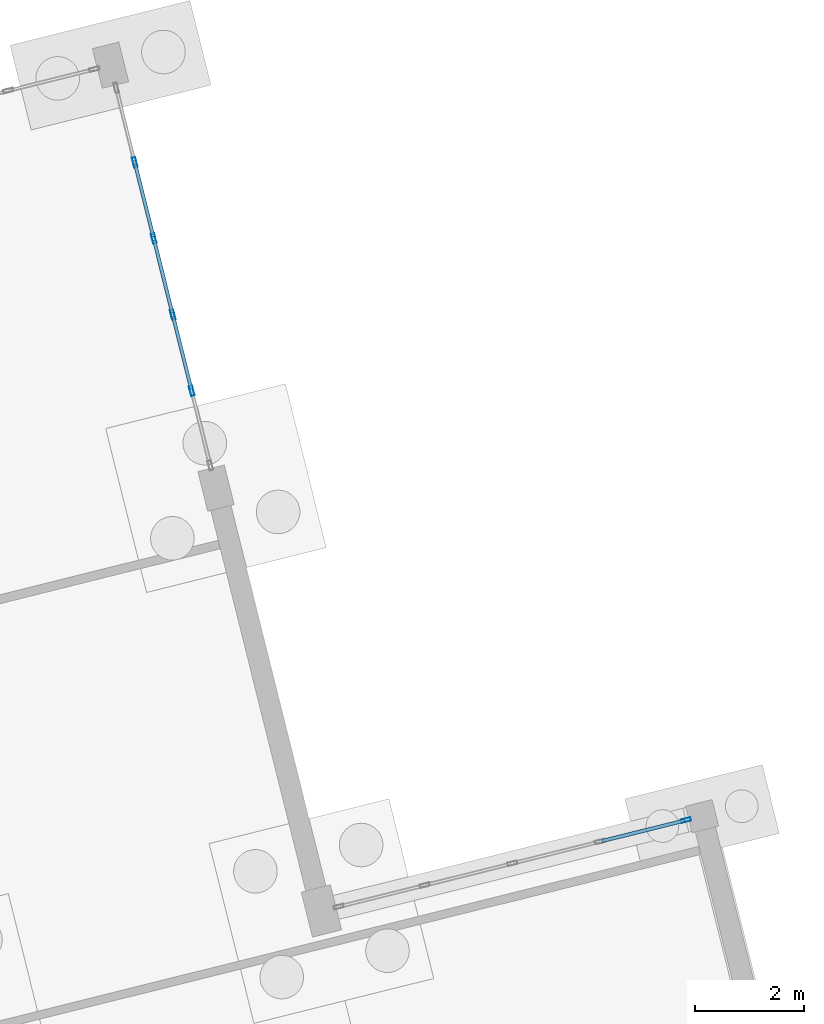
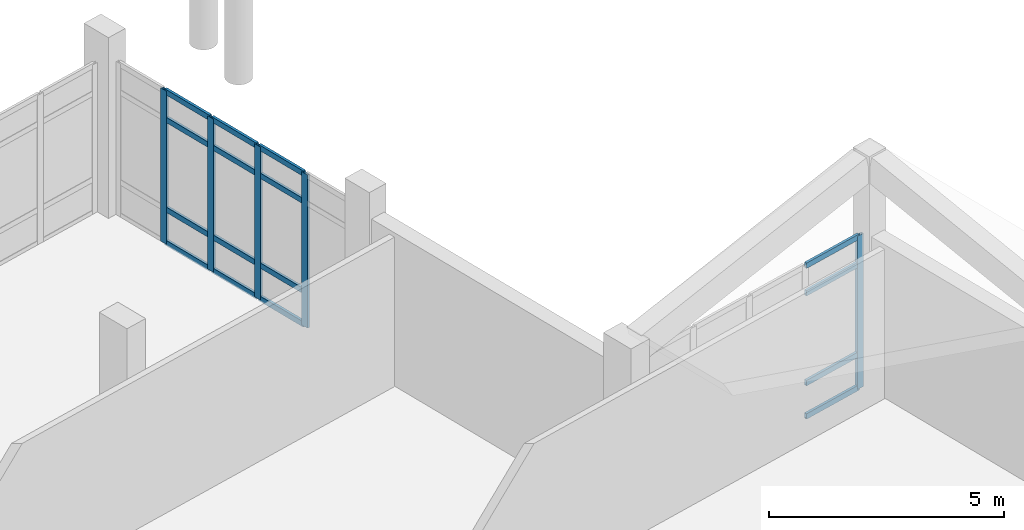
# One storey, part 101 of 173: 21 members, 2 elements without a shape of their own.
"""IFC4 building model written with IfcOpenShell, lengths in metres."""

from ifc_helpers import new_model, si_unit, direction, frame, origin, origin_2d, place, context, subcontext, project, spatial, hollow_rectangle, extrude, material, layer, layer_set, material_profile, profile_set, type_object, element, aggregate, save


model = new_model("IFC4")

# Units and contexts
model_context = context("Model", 3, precision=1e-05, world=origin(), true_north=direction((0.0, 1.0)))
body_context = subcontext(model_context, "Body", "Model", "MODEL_VIEW")
ifc_project = project(units=[si_unit("LENGTHUNIT", "METRE"), si_unit("AREAUNIT", "SQUARE_METRE"), si_unit("VOLUMEUNIT", "CUBIC_METRE"), si_unit("PLANEANGLEUNIT", "RADIAN"), si_unit("MASSUNIT", "GRAM", prefix="KILO")], contexts=[model_context])

# Site, building, storey
site_placement = place(None, origin())
site = spatial("IfcSite", under=ifc_project, at=site_placement, CompositionType="ELEMENT")
building_placement = place(site_placement, origin())
building = spatial("IfcBuilding", under=site, at=building_placement, Name="Mawjan Specialist Oncology Clinic", CompositionType="ELEMENT")
storey_placement = place(building_placement, origin())
storey = spatial("IfcBuildingStorey", under=building, at=storey_placement, Name="L00", CompositionType="ELEMENT", Elevation=0.0)

# Curtain wall, members
ifc_material_1 = material(Name="Unitised spectrally selective aluminium curtain wall", Category="aluminium")
ifc_layer_1 = layer(ifc_material_1, 0.179931640625, Name="Unitised spectrally selective aluminium curtain wall", Category="aluminium")
ifc_layer_set_1 = layer_set([ifc_layer_1], Name="Unitised spectrally selective aluminium curtain wall")
curtain_wall_type_1 = type_object("IfcCurtainWallType", Name="CW-34", PredefinedType="NOTDEFINED", material=ifc_layer_set_1)
curtain_wall_1_placement = place(storey_placement, origin())
curtain_wall_1 = element("IfcCurtainWall", 1, at=curtain_wall_1_placement, inside=storey, type_object=curtain_wall_type_1, Name="L00 Unitised Curtain Wall CW-L00-084", PredefinedType="NOTDEFINED")
ifc_material_2 = material(Name="Thermally broken aluminium 6063-T6", Category="aluminium")
ifc_material_profile_1 = material_profile(ifc_material_2, hollow_rectangle(XDim=0.06494140625, YDim=0.179931640625, WallThickness=0.00390625, at=origin_2d()), Name="ALU MULLION 180x65x4", Category="aluminium")
ifc_profile_set_1 = profile_set([ifc_material_profile_1], Name="Thermally broken aluminium 6063-T6")
member_type_1 = type_object("IfcMemberType", Name="CW-M180", PredefinedType="MULLION", material=ifc_profile_set_1)
member_1_placement = place(storey_placement, frame((144.712158203125, 44.796630859375, 0.0), z_axis=(0.0, 0.0, 1.0), x_axis=(0.970295720441, 0.241921919004, 0.0)))
member_1 = element("IfcMember", 2, at=member_1_placement, type_object=member_type_1, Name="CW-34 mullion 2", PredefinedType="MULLION", context=body_context, shape_type="SweptSolid", body=[
    extrude(hollow_rectangle(XDim=0.06494140625, YDim=0.179931640625, WallThickness=0.00390625, at=origin_2d()), origin(), (0.0, 0.0, 1.0), 3.985107421875),
])
member_2_placement = place(storey_placement, frame((145.060791015625, 43.3974609375, 0.0), z_axis=(0.0, 0.0, 1.0), x_axis=(0.970295720441, 0.241921919004, 0.0)))
member_2 = element("IfcMember", 3, at=member_2_placement, type_object=member_type_1, Name="CW-34 mullion 3", PredefinedType="MULLION", context=body_context, shape_type="SweptSolid", body=[
    extrude(hollow_rectangle(XDim=0.06494140625, YDim=0.179931640625, WallThickness=0.00390625, at=origin_2d()), origin(), (0.0, 0.0, 1.0), 3.985107421875),
])
member_3_placement = place(storey_placement, frame((145.40966796875, 41.99853515625, 0.0), z_axis=(0.0, 0.0, 1.0), x_axis=(0.970295720441, 0.241921919004, 0.0)))
member_3 = element("IfcMember", 4, at=member_3_placement, type_object=member_type_1, Name="CW-34 mullion 4", PredefinedType="MULLION", context=body_context, shape_type="SweptSolid", body=[
    extrude(hollow_rectangle(XDim=0.06494140625, YDim=0.179931640625, WallThickness=0.00390625, at=origin_2d()), origin(), (0.0, 0.0, 1.0), 3.985107421875),
])
member_4_placement = place(storey_placement, frame((145.758544921875, 40.599365234375, 0.0), z_axis=(0.0, 0.0, 1.0), x_axis=(0.970295720441, 0.241921919004, 0.0)))
member_4 = element("IfcMember", 5, at=member_4_placement, type_object=member_type_1, Name="CW-34 mullion 5", PredefinedType="MULLION", context=body_context, shape_type="SweptSolid", body=[
    extrude(hollow_rectangle(XDim=0.06494140625, YDim=0.179931640625, WallThickness=0.00390625, at=origin_2d()), origin(), (0.0, 0.0, 1.0), 3.985107421875),
])

# Curtain wall, member
ifc_material_3 = material(Name="Unitised spectrally selective aluminium curtain wall", Category="aluminium")
ifc_layer_2 = layer(ifc_material_3, 0.179931640625, Name="Unitised spectrally selective aluminium curtain wall", Category="aluminium")
ifc_layer_set_2 = layer_set([ifc_layer_2], Name="Unitised spectrally selective aluminium curtain wall")
curtain_wall_type_2 = type_object("IfcCurtainWallType", Name="CW-41", PredefinedType="NOTDEFINED", material=ifc_layer_set_2)
curtain_wall_2_placement = place(storey_placement, origin())
curtain_wall_2 = element("IfcCurtainWall", 6, at=curtain_wall_2_placement, inside=storey, type_object=curtain_wall_type_2, Name="L00 Unitised Curtain Wall CW-L00-085", PredefinedType="NOTDEFINED")
member_5_placement = place(storey_placement, frame((154.8310546875, 32.72314453125, 0.0), z_axis=(0.0, 0.0, 1.0), x_axis=(-0.241921932281, 0.97029571713, 0.0)))
member_5 = element("IfcMember", 7, at=member_5_placement, type_object=member_type_1, Name="CW-41 mullion 5", PredefinedType="MULLION", context=body_context, shape_type="SweptSolid", body=[
    extrude(hollow_rectangle(XDim=0.06494140625, YDim=0.179931640625, WallThickness=0.00390625, at=origin_2d()), origin(), (0.0, 0.0, 1.0), 3.985107421875),
])

# Member
ifc_material_4 = material(Name="Thermally broken aluminium 6063-T6", Category="aluminium")
ifc_material_profile_2 = material_profile(ifc_material_4, hollow_rectangle(XDim=0.06494140625, YDim=0.139892578125, WallThickness=0.00390625, at=origin_2d()), Name="ALU TRANSOM 140x65x4", Category="aluminium")
ifc_profile_set_2 = profile_set([ifc_material_profile_2], Name="Thermally broken aluminium 6063-T6")
member_type_2 = type_object("IfcMemberType", Name="CW-T140", PredefinedType="USERDEFINED", material=ifc_profile_set_2)
member_6_placement = place(storey_placement, frame((144.719970703125, 44.76513671875, 0.032470703125), z_axis=(0.241868000253, -0.970309162305, 0.0), x_axis=(0.970309162305, 0.241868000253, 0.0)))
member_6 = element("IfcMember", 8, at=member_6_placement, type_object=member_type_2, Name="CW-34 transom 2.1", ObjectType="TRANSOM", PredefinedType="USERDEFINED", context=body_context, shape_type="SweptSolid", body=[
    extrude(hollow_rectangle(XDim=0.06494140625, YDim=0.139892578125, WallThickness=0.00390625, at=origin_2d()), origin(), (0.0, 0.0, 1.0), 1.376708984375),
])

member_7_placement = place(storey_placement, frame((144.719970703125, 44.76513671875, 0.89990234375), z_axis=(0.241868000253, -0.970309162305, 0.0), x_axis=(0.970309162305, 0.241868000253, 0.0)))
member_7 = element("IfcMember", 9, at=member_7_placement, type_object=member_type_2, Name="CW-34 transom 2.2", ObjectType="TRANSOM", PredefinedType="USERDEFINED", context=body_context, shape_type="SweptSolid", body=[
    extrude(hollow_rectangle(XDim=0.06494140625, YDim=0.139892578125, WallThickness=0.00390625, at=origin_2d()), origin(), (0.0, 0.0, 1.0), 1.376708984375),
])

member_8_placement = place(storey_placement, frame((144.719970703125, 44.76513671875, 3.235107421875), z_axis=(0.241868000253, -0.970309162305, 0.0), x_axis=(0.970309162305, 0.241868000253, 0.0)))
member_8 = element("IfcMember", 10, at=member_8_placement, type_object=member_type_2, Name="CW-34 transom 2.3", ObjectType="TRANSOM", PredefinedType="USERDEFINED", context=body_context, shape_type="SweptSolid", body=[
    extrude(hollow_rectangle(XDim=0.06494140625, YDim=0.139892578125, WallThickness=0.00390625, at=origin_2d()), origin(), (0.0, 0.0, 1.0), 1.376708984375),
])

member_9_placement = place(storey_placement, frame((144.719970703125, 44.76513671875, 3.952392578125), z_axis=(0.241868000253, -0.970309162305, 0.0), x_axis=(0.970309162305, 0.241868000253, 0.0)))
member_9 = element("IfcMember", 11, at=member_9_placement, type_object=member_type_2, Name="CW-34 transom 2.4", ObjectType="TRANSOM", PredefinedType="USERDEFINED", context=body_context, shape_type="SweptSolid", body=[
    extrude(hollow_rectangle(XDim=0.06494140625, YDim=0.139892578125, WallThickness=0.00390625, at=origin_2d()), origin(), (0.0, 0.0, 1.0), 1.376708984375),
])

member_10_placement = place(storey_placement, frame((145.06884765625, 43.365966796875, 0.032470703125), z_axis=(0.241868000253, -0.970309162305, 0.0), x_axis=(0.970309162305, 0.241868000253, 0.0)))
member_10 = element("IfcMember", 12, at=member_10_placement, type_object=member_type_2, Name="CW-34 transom 3.1", ObjectType="TRANSOM", PredefinedType="USERDEFINED", context=body_context, shape_type="SweptSolid", body=[
    extrude(hollow_rectangle(XDim=0.06494140625, YDim=0.139892578125, WallThickness=0.00390625, at=origin_2d()), origin(), (0.0, 0.0, 1.0), 1.376708984375),
])

member_11_placement = place(storey_placement, frame((145.06884765625, 43.365966796875, 0.89990234375), z_axis=(0.241868000253, -0.970309162305, 0.0), x_axis=(0.970309162305, 0.241868000253, 0.0)))
member_11 = element("IfcMember", 13, at=member_11_placement, type_object=member_type_2, Name="CW-34 transom 3.2", ObjectType="TRANSOM", PredefinedType="USERDEFINED", context=body_context, shape_type="SweptSolid", body=[
    extrude(hollow_rectangle(XDim=0.06494140625, YDim=0.139892578125, WallThickness=0.00390625, at=origin_2d()), origin(), (0.0, 0.0, 1.0), 1.376708984375),
])

member_12_placement = place(storey_placement, frame((145.06884765625, 43.365966796875, 3.235107421875), z_axis=(0.241868000253, -0.970309162305, 0.0), x_axis=(0.970309162305, 0.241868000253, 0.0)))
member_12 = element("IfcMember", 14, at=member_12_placement, type_object=member_type_2, Name="CW-34 transom 3.3", ObjectType="TRANSOM", PredefinedType="USERDEFINED", context=body_context, shape_type="SweptSolid", body=[
    extrude(hollow_rectangle(XDim=0.06494140625, YDim=0.139892578125, WallThickness=0.00390625, at=origin_2d()), origin(), (0.0, 0.0, 1.0), 1.376708984375),
])

member_13_placement = place(storey_placement, frame((145.06884765625, 43.365966796875, 3.952392578125), z_axis=(0.241868000253, -0.970309162305, 0.0), x_axis=(0.970309162305, 0.241868000253, 0.0)))
member_13 = element("IfcMember", 15, at=member_13_placement, type_object=member_type_2, Name="CW-34 transom 3.4", ObjectType="TRANSOM", PredefinedType="USERDEFINED", context=body_context, shape_type="SweptSolid", body=[
    extrude(hollow_rectangle(XDim=0.06494140625, YDim=0.139892578125, WallThickness=0.00390625, at=origin_2d()), origin(), (0.0, 0.0, 1.0), 1.376708984375),
])

member_14_placement = place(storey_placement, frame((145.417724609375, 41.966796875, 0.032470703125), z_axis=(0.241868000253, -0.970309162305, 0.0), x_axis=(0.970309162305, 0.241868000253, 0.0)))
member_14 = element("IfcMember", 16, at=member_14_placement, type_object=member_type_2, Name="CW-34 transom 4.1", ObjectType="TRANSOM", PredefinedType="USERDEFINED", context=body_context, shape_type="SweptSolid", body=[
    extrude(hollow_rectangle(XDim=0.06494140625, YDim=0.139892578125, WallThickness=0.00390625, at=origin_2d()), origin(), (0.0, 0.0, 1.0), 1.376708984375),
])

member_15_placement = place(storey_placement, frame((145.417724609375, 41.966796875, 0.89990234375), z_axis=(0.241868000253, -0.970309162305, 0.0), x_axis=(0.970309162305, 0.241868000253, 0.0)))
member_15 = element("IfcMember", 17, at=member_15_placement, type_object=member_type_2, Name="CW-34 transom 4.2", ObjectType="TRANSOM", PredefinedType="USERDEFINED", context=body_context, shape_type="SweptSolid", body=[
    extrude(hollow_rectangle(XDim=0.06494140625, YDim=0.139892578125, WallThickness=0.00390625, at=origin_2d()), origin(), (0.0, 0.0, 1.0), 1.376708984375),
])

member_16_placement = place(storey_placement, frame((145.417724609375, 41.966796875, 3.235107421875), z_axis=(0.241868000253, -0.970309162305, 0.0), x_axis=(0.970309162305, 0.241868000253, 0.0)))
member_16 = element("IfcMember", 18, at=member_16_placement, type_object=member_type_2, Name="CW-34 transom 4.3", ObjectType="TRANSOM", PredefinedType="USERDEFINED", context=body_context, shape_type="SweptSolid", body=[
    extrude(hollow_rectangle(XDim=0.06494140625, YDim=0.139892578125, WallThickness=0.00390625, at=origin_2d()), origin(), (0.0, 0.0, 1.0), 1.376708984375),
])

member_17_placement = place(storey_placement, frame((145.417724609375, 41.966796875, 3.952392578125), z_axis=(0.241868000253, -0.970309162305, 0.0), x_axis=(0.970309162305, 0.241868000253, 0.0)))
member_17 = element("IfcMember", 19, at=member_17_placement, type_object=member_type_2, Name="CW-34 transom 4.4", ObjectType="TRANSOM", PredefinedType="USERDEFINED", context=body_context, shape_type="SweptSolid", body=[
    extrude(hollow_rectangle(XDim=0.06494140625, YDim=0.139892578125, WallThickness=0.00390625, at=origin_2d()), origin(), (0.0, 0.0, 1.0), 1.376708984375),
])

aggregate(curtain_wall_1, [member_1, member_2, member_3, member_4, member_6, member_7, member_8, member_9, member_10, member_11, member_12, member_13, member_14, member_15, member_16, member_17])

member_18_placement = place(storey_placement, frame((153.28466796875, 32.337646484375, 0.032470703125), z_axis=(0.970298672181, 0.241910079914, 0.0), x_axis=(-0.241910079914, 0.970298672181, 0.0)))
member_18 = element("IfcMember", 20, at=member_18_placement, type_object=member_type_2, Name="CW-41 transom 4.1", ObjectType="TRANSOM", PredefinedType="USERDEFINED", context=body_context, shape_type="SweptSolid", body=[
    extrude(hollow_rectangle(XDim=0.06494140625, YDim=0.139892578125, WallThickness=0.00390625, at=origin_2d()), origin(), (0.0, 0.0, 1.0), 1.561279296875),
])

member_19_placement = place(storey_placement, frame((153.28466796875, 32.337646484375, 0.89990234375), z_axis=(0.970298672181, 0.241910079914, 0.0), x_axis=(-0.241910079914, 0.970298672181, 0.0)))
member_19 = element("IfcMember", 21, at=member_19_placement, type_object=member_type_2, Name="CW-41 transom 4.2", ObjectType="TRANSOM", PredefinedType="USERDEFINED", context=body_context, shape_type="SweptSolid", body=[
    extrude(hollow_rectangle(XDim=0.06494140625, YDim=0.139892578125, WallThickness=0.00390625, at=origin_2d()), origin(), (0.0, 0.0, 1.0), 1.561279296875),
])

member_20_placement = place(storey_placement, frame((153.28466796875, 32.337646484375, 3.235107421875), z_axis=(0.970298672181, 0.241910079914, 0.0), x_axis=(-0.241910079914, 0.970298672181, 0.0)))
member_20 = element("IfcMember", 22, at=member_20_placement, type_object=member_type_2, Name="CW-41 transom 4.3", ObjectType="TRANSOM", PredefinedType="USERDEFINED", context=body_context, shape_type="SweptSolid", body=[
    extrude(hollow_rectangle(XDim=0.06494140625, YDim=0.139892578125, WallThickness=0.00390625, at=origin_2d()), origin(), (0.0, 0.0, 1.0), 1.561279296875),
])

member_21_placement = place(storey_placement, frame((153.28466796875, 32.337646484375, 3.952392578125), z_axis=(0.970298672181, 0.241910079914, 0.0), x_axis=(-0.241910079914, 0.970298672181, 0.0)))
member_21 = element("IfcMember", 23, at=member_21_placement, type_object=member_type_2, Name="CW-41 transom 4.4", ObjectType="TRANSOM", PredefinedType="USERDEFINED", context=body_context, shape_type="SweptSolid", body=[
    extrude(hollow_rectangle(XDim=0.06494140625, YDim=0.139892578125, WallThickness=0.00390625, at=origin_2d()), origin(), (0.0, 0.0, 1.0), 1.561279296875),
])

aggregate(curtain_wall_2, [member_5, member_18, member_19, member_20, member_21])

save(model, "model.ifc")
